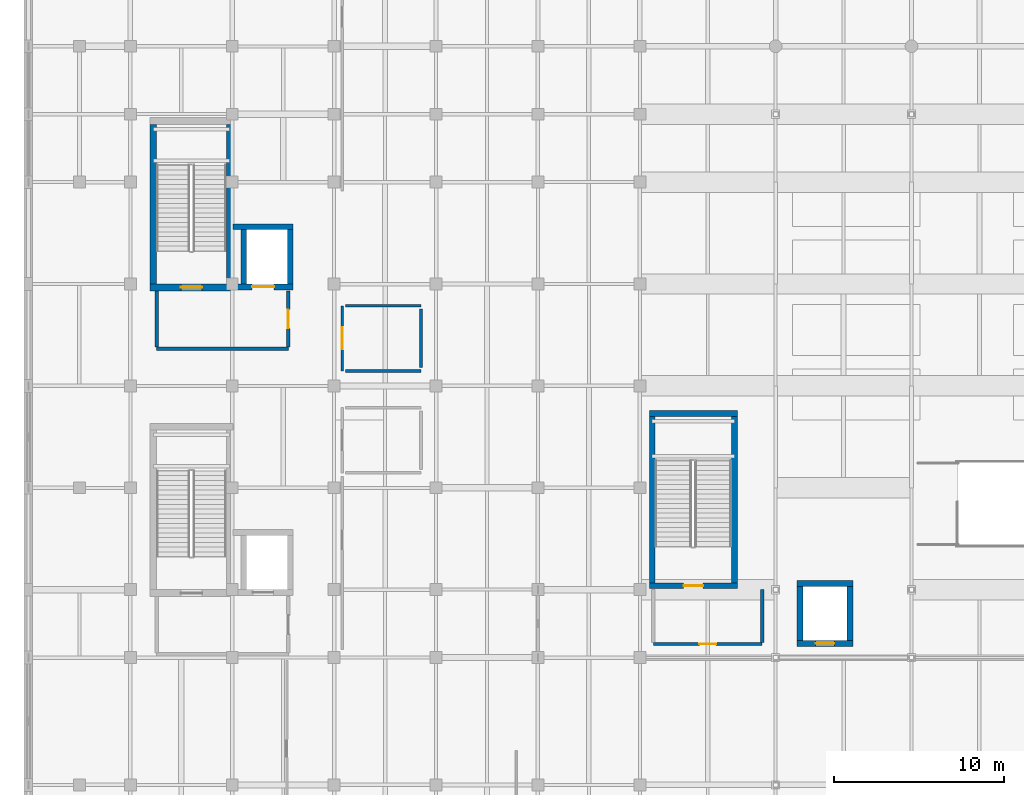
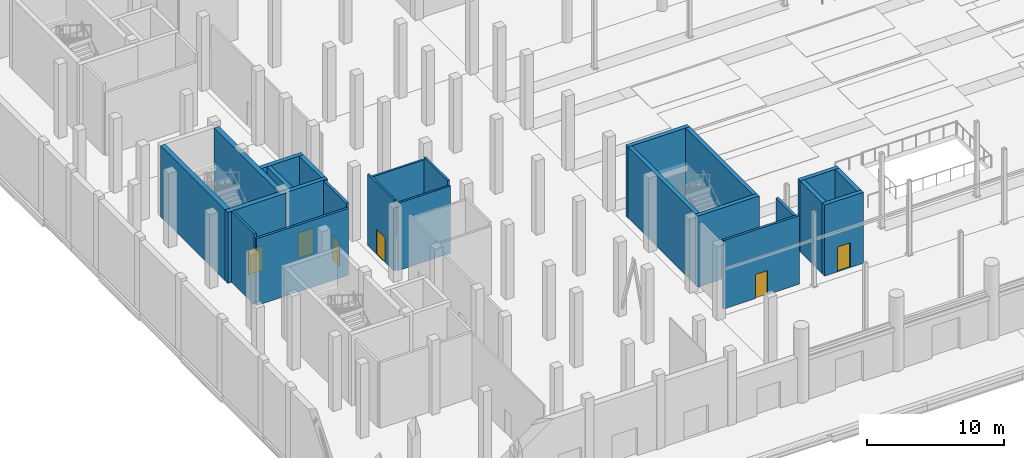
# One storey, part 119 of 140: 24 walls, 7 doors, 7 openings.
"""IFC4 building model written with IfcOpenShell, lengths in metres."""

from ifc_helpers import new_model, si_unit, direction, frame, frame_2d, origin, place, context, subcontext, project, spatial, rectangle, extrude, material, layer, layer_set, type_object, element, fill, save


model = new_model("IFC4")

# Units and contexts
model_context = context("Model", 3, precision=1e-05, world=origin(), true_north=direction((0.0, 1.0)))
body_context = subcontext(model_context, "Body", "Model", "MODEL_VIEW")
ifc_project = project(units=[si_unit("LENGTHUNIT", "METRE"), si_unit("AREAUNIT", "SQUARE_METRE"), si_unit("VOLUMEUNIT", "CUBIC_METRE"), si_unit("PLANEANGLEUNIT", "RADIAN"), si_unit("MASSUNIT", "GRAM", prefix="KILO")], contexts=[model_context])

# Site, building, storey
site_placement = place(None, origin())
site = spatial("IfcSite", under=ifc_project, at=site_placement, CompositionType="ELEMENT")
building_placement = place(site_placement, origin())
building = spatial("IfcBuilding", under=site, at=building_placement, Name="Verrall Gate Interchange", CompositionType="ELEMENT")
storey_placement = place(building_placement, origin())
storey = spatial("IfcBuildingStorey", under=building, at=storey_placement, Name="L01", CompositionType="ELEMENT", Elevation=0.0)

# Walls
ifc_material_1 = material(Name="Fire-Rated Type X Gypsum Stud Partition Assembly (60 min)", Category="gypsum")
ifc_layer_1 = layer(ifc_material_1, 0.199951171875)
ifc_layer_set_1 = layer_set([ifc_layer_1], Name="Fire-Rated Type X Gypsum Stud Partition Assembly (60 min)")
wall_type_1 = type_object("IfcWallType", Name="IW-01 Interior Partition Wall 200", PredefinedType="PARTITIONING", material=ifc_layer_set_1)
wall_1_placement = place(storey_placement, frame((7.550048828125, 30.199951171875, 0.0), z_axis=(0.0, 0.0, 1.0), x_axis=(1.0, 0.0, 0.0)))
element("IfcWall", 1, at=wall_1_placement, inside=storey, type_object=wall_type_1, Name="L01 Core C2 Lobby South Rated Wall", PredefinedType="PARTITIONING", context=body_context, shape_type="SweptSolid", body=[
    extrude(rectangle(XDim=7.75, YDim=0.199951171875, at=frame_2d((3.875, 0.0))), origin(), (0.0, 0.0, 1.0), 5.946044921875),
])
wall_2_placement = place(storey_placement, frame((7.550048828125, 33.60009765625, 0.0), z_axis=(0.0, 0.0, 1.0), x_axis=(0.0, -1.0, 0.0)))
element("IfcWall", 2, at=wall_2_placement, inside=storey, type_object=wall_type_1, Name="L01 Core C2 Lobby West Rated Wall", PredefinedType="PARTITIONING", context=body_context, shape_type="SweptSolid", body=[
    extrude(rectangle(XDim=3.320068359375, YDim=0.199951171875, at=frame_2d((1.66015625, 0.0))), origin(), (0.0, 0.0, 1.0), 6.320068359375),
])

# Wall, opening, door
wall_3_placement = place(storey_placement, frame((15.300048828125, 30.280029296875, 0.0), z_axis=(0.0, 0.0, 1.0), x_axis=(0.0, 1.0, 0.0)))
wall_3 = element("IfcWall", 3, at=wall_3_placement, inside=storey, type_object=wall_type_1, Name="L01 Core C2 Lobby East Rated Wall", PredefinedType="PARTITIONING", context=body_context, shape_type="SweptSolid", body=[
    extrude(rectangle(XDim=3.320068359375, YDim=0.199951171875, at=frame_2d((1.66015625, 0.0))), origin(), (0.0, 0.0, 1.0), 6.320068359375),
])
opening_1_placement = place(wall_3_placement, frame((1.110107421875, 0.0, 0.0)))
opening_1 = element("IfcOpeningElement", 4, at=opening_1_placement, cuts=wall_3, Name="Opening LBD030", PredefinedType="OPENING", context=body_context, shape_type="SweptSolid", body=[
    extrude(rectangle(XDim=1.10009765625, YDim=2.14990234375, at=frame_2d((0.550048828125, 1.074951171875))), frame((0.0, 0.11474609375, 0.0), z_axis=(0.0, -1.0, 0.0), x_axis=(1.0, 0.0, 0.0)), (0.0, 0.0, 1.0), 0.229736328125),
])
ifc_material_2 = material(Name="Hollow-Metal Fire-Rated Door Assembly", Category="metal")
door_type_1 = type_object("IfcDoorType", Name="ID-06 Interior Swing Door 1100x2150", OperationType="NOTDEFINED", PredefinedType="DOOR", material=ifc_material_2)
door_1_placement = place(opening_1_placement, origin())
door_1 = element("IfcDoor", 5, at=door_1_placement, inside=storey, type_object=door_type_1, Name="L01 Core C2 Lobby Fire Door LBD030", OperationType="SINGLE_SWING_RIGHT", OverallHeight=2.14990234375, OverallWidth=1.10009765625, PredefinedType="DOOR", context=body_context, shape_type="SweptSolid", body=[
    extrude(rectangle(XDim=1.10009765625, YDim=2.14990234375, at=frame_2d((0.550048828125, 1.074951171875))), frame((0.0, 0.02490234375, 0.0), z_axis=(0.0, -1.0, 0.0), x_axis=(1.0, 0.0, 0.0)), (0.0, 0.0, 1.0), 0.050048828125),
])
fill(opening_1, door_1)

wall_4_placement = place(storey_placement, frame((36.800048828125, 12.800048828125, 0.0), z_axis=(0.0, 0.0, 1.0), x_axis=(1.0, 0.0, 0.0)))
wall_4 = element("IfcWall", 6, at=wall_4_placement, inside=storey, type_object=wall_type_1, Name="L01 Core C5 Lobby South Rated Wall", PredefinedType="PARTITIONING", context=body_context, shape_type="SweptSolid", body=[
    extrude(rectangle(XDim=6.39990234375, YDim=0.199951171875, at=frame_2d((3.199951171875, 0.0))), origin(), (0.0, 0.0, 1.0), 6.096923828125),
])
opening_2_placement = place(wall_4_placement, frame((2.699951171875, 0.0, 0.0)))
opening_2 = element("IfcOpeningElement", 7, at=opening_2_placement, cuts=wall_4, Name="Opening LBD069", PredefinedType="OPENING", context=body_context, shape_type="SweptSolid", body=[
    extrude(rectangle(XDim=1.0, YDim=2.14990234375, at=frame_2d((0.5, 1.074951171875))), frame((0.0, 0.11474609375, 0.0), z_axis=(0.0, -1.0, 0.0), x_axis=(1.0, 0.0, 0.0)), (0.0, 0.0, 1.0), 0.229736328125),
])
ifc_material_3 = material(Name="Hollow-Metal Fire-Rated Door Assembly", Category="metal")
door_type_2 = type_object("IfcDoorType", Name="ID-05 Interior Swing Door 1000x2150", OperationType="NOTDEFINED", PredefinedType="DOOR", material=ifc_material_3)
door_2_placement = place(opening_2_placement, origin())
door_2 = element("IfcDoor", 8, at=door_2_placement, inside=storey, type_object=door_type_2, Name="L01 Core C5 Lobby Fire Door LBD069", OperationType="SINGLE_SWING_LEFT", OverallHeight=2.14990234375, OverallWidth=1.0, PredefinedType="DOOR", context=body_context, shape_type="SweptSolid", body=[
    extrude(rectangle(XDim=1.0, YDim=2.14990234375, at=frame_2d((0.5, 1.074951171875))), frame((0.0, 0.02490234375, 0.0), z_axis=(0.0, -1.0, 0.0), x_axis=(1.0, 0.0, 0.0)), (0.0, 0.0, 1.0), 0.050048828125),
])
fill(opening_2, door_2)

# Wall
wall_5_placement = place(storey_placement, frame((43.199951171875, 12.8798828125, 0.0), z_axis=(0.0, 0.0, 1.0), x_axis=(0.0, 1.0, 0.0)))
element("IfcWall", 9, at=wall_5_placement, inside=storey, type_object=wall_type_1, Name="L01 Core C5 Lobby East Rated Wall", PredefinedType="PARTITIONING", context=body_context, shape_type="SweptSolid", body=[
    extrude(rectangle(XDim=3.1201171875, YDim=0.199951171875, at=frame_2d((1.56005859375, 0.0))), origin(), (0.0, 0.0, 1.0), 5.68896484375),
])

# Wall, opening, door
ifc_material_4 = material(Name="Fire-Rated Type X Gypsum Stud Partition Assembly (60 min)", Category="gypsum")
ifc_layer_2 = layer(ifc_material_4, 0.159912109375)
ifc_layer_set_2 = layer_set([ifc_layer_2], Name="Fire-Rated Type X Gypsum Stud Partition Assembly (60 min)")
wall_type_2 = type_object("IfcWallType", Name="IW-02 Interior Partition Wall 160", PredefinedType="PARTITIONING", material=ifc_layer_set_2)
wall_6_placement = place(storey_placement, frame((18.47998046875, 28.8798828125, 0.0), z_axis=(0.0, 0.0, 1.0), x_axis=(0.0, 1.0, 0.0)))
wall_6 = element("IfcWall", 10, at=wall_6_placement, inside=storey, type_object=wall_type_2, Name="L01 Ground Accessible Washroom Partition 023", PredefinedType="PARTITIONING", context=body_context, shape_type="SweptSolid", body=[
    extrude(rectangle(XDim=3.840087890625, YDim=0.159912109375, at=frame_2d((1.919921875, 0.0))), origin(), (0.0, 0.0, 1.0), 6.320068359375),
])
opening_3_placement = place(wall_6_placement, frame((1.280029296875, 0.0, 0.0)))
opening_3 = element("IfcOpeningElement", 11, at=opening_3_placement, cuts=wall_6, Name="Opening D019", PredefinedType="OPENING", context=body_context, shape_type="SweptSolid", body=[
    extrude(rectangle(XDim=1.280029296875, YDim=2.199951171875, at=frame_2d((0.64013671875, 1.10009765625))), frame((0.0, 0.0947265625, 0.0), z_axis=(0.0, -1.0, 0.0), x_axis=(1.0, 0.0, 0.0)), (0.0, 0.0, 1.0), 0.189697265625),
])
ifc_material_5 = material(Name="Architectural Solid-Core Birch Acoustic Door Assembly", Category="wood")
door_type_3 = type_object("IfcDoorType", Name="ID-16 Interior Swing Door 1280x2200", OperationType="NOTDEFINED", PredefinedType="DOOR", material=ifc_material_5)
door_3_placement = place(opening_3_placement, origin())
door_3 = element("IfcDoor", 12, at=door_3_placement, inside=storey, type_object=door_type_3, Name="L01 Ground Accessible Washroom Door D019", OperationType="SINGLE_SWING_RIGHT", OverallHeight=2.199951171875, OverallWidth=1.280029296875, PredefinedType="DOOR", context=body_context, shape_type="SweptSolid", body=[
    extrude(rectangle(XDim=1.280029296875, YDim=2.199951171875, at=frame_2d((0.64013671875, 1.10009765625))), frame((0.0, 0.02490234375, 0.0), z_axis=(0.0, -1.0, 0.0), x_axis=(1.0, 0.0, 0.0)), (0.0, 0.0, 1.0), 0.050048828125),
])
fill(opening_3, door_3)

# Walls
for number, where, z_axis, x_axis, name in (
    (13, (18.679931640625, 32.719970703125, 0.0), (0.0, 0.0, 1.0), (1.0, 0.0, 0.0), "L01 Ground Accessible Washroom Partition 024"),
    (14, (23.1201171875, 28.8798828125, 0.0), (0.0, 0.0, 1.0), (-1.0, 0.0, 0.0), "L01 Ground Accessible Washroom Partition 025"),
):
    element("IfcWall", number, at=place(storey_placement, frame(where, z_axis=z_axis, x_axis=x_axis)), inside=storey, type_object=wall_type_2, Name=name, PredefinedType="PARTITIONING", context=body_context, shape_type="SweptSolid", body=[
        extrude(rectangle(XDim=4.440185546875, YDim=0.159912109375, at=frame_2d((2.22021484375, 0.0))), origin(), (0.0, 0.0, 1.0), 5.989990234375),
    ])
wall_7_placement = place(storey_placement, frame((23.1201171875, 32.52001953125, 0.0), z_axis=(0.0, 0.0, 1.0), x_axis=(0.0, -1.0, 0.0)))
element("IfcWall", 15, at=wall_7_placement, inside=storey, type_object=wall_type_2, Name="L01 Ground Accessible Washroom Partition 026", PredefinedType="PARTITIONING", context=body_context, shape_type="SweptSolid", body=[
    extrude(rectangle(XDim=3.43994140625, YDim=0.159912109375, at=frame_2d((1.719970703125, 0.0))), origin(), (0.0, 0.0, 1.0), 6.320068359375),
])

# Wall, opening, door
ifc_material_6 = material(Name="Concrete CSA A23.1 40 MPa (Class N)", Category="concrete")
ifc_layer_3 = layer(ifc_material_6, 0.39990234375)
ifc_layer_set_3 = layer_set([ifc_layer_3], Name="Concrete CSA A23.1 40 MPa (Class N)")
wall_type_3 = type_object("IfcWallType", Name="SW-01 Core Shear Wall 400", PredefinedType="SHEAR", material=ifc_layer_set_3)
wall_8_placement = place(storey_placement, frame((7.14990234375, 33.800048828125, 0.0), z_axis=(0.0, 0.0, 1.0), x_axis=(1.0, 0.0, 0.0)))
wall_8 = element("IfcWall", 16, at=wall_8_placement, inside=storey, type_object=wall_type_3, Name="L01 Core C2 South Shear Wall", PredefinedType="SHEAR", context=body_context, shape_type="SweptSolid", body=[
    extrude(rectangle(XDim=4.900146484375, YDim=0.39990234375, at=frame_2d((2.4501953125, 0.0))), origin(), (0.0, 0.0, 1.0), 6.320068359375),
])
opening_4_placement = place(wall_8_placement, frame((1.824951171875, 0.0, 0.0)))
opening_4 = element("IfcOpeningElement", 17, at=opening_4_placement, cuts=wall_8, Name="Opening SD021", PredefinedType="OPENING", context=body_context, shape_type="SweptSolid", body=[
    extrude(rectangle(XDim=1.25, YDim=2.199951171875, at=frame_2d((0.625, 1.10009765625))), frame((0.0, 0.21484375, 0.0), z_axis=(0.0, -1.0, 0.0), x_axis=(1.0, 0.0, 0.0)), (0.0, 0.0, 1.0), 0.4296875),
])
ifc_material_7 = material(Name="Hollow-Metal Fire-Rated Door Assembly", Category="metal")
door_type_4 = type_object("IfcDoorType", Name="ID-03 Interior Swing Door 1250x2200", OperationType="NOTDEFINED", PredefinedType="DOOR", material=ifc_material_7)
door_4_placement = place(opening_4_placement, origin())
door_4 = element("IfcDoor", 18, at=door_4_placement, inside=storey, type_object=door_type_4, Name="L01 Stair ST-02 Fire Door SD021", OperationType="SINGLE_SWING_LEFT", OverallHeight=2.199951171875, OverallWidth=1.25, PredefinedType="DOOR", context=body_context, shape_type="SweptSolid", body=[
    extrude(rectangle(XDim=1.25, YDim=2.199951171875, at=frame_2d((0.625, 1.10009765625))), frame((0.0, 0.02490234375, 0.0), z_axis=(0.0, -1.0, 0.0), x_axis=(1.0, 0.0, 0.0)), (0.0, 0.0, 1.0), 0.050048828125),
])
fill(opening_4, door_4)

# Walls
for number, where, z_axis, x_axis, name in (
    (19, (7.35009765625, 43.39990234375, 0.0), (0.0, 0.0, 1.0), (0.0, -1.0, 0.0), "L01 Core C2 West Shear Wall"),
    (20, (11.85009765625, 34.0, 0.0), (0.0, 0.0, 1.0), (0.0, 1.0, 0.0), "L01 Core C2 East Shear Wall"),
):
    element("IfcWall", number, at=place(storey_placement, frame(where, z_axis=z_axis, x_axis=x_axis)), inside=storey, type_object=wall_type_3, Name=name, PredefinedType="SHEAR", context=body_context, shape_type="SweptSolid", body=[
        extrude(rectangle(XDim=9.39990234375, YDim=0.39990234375, at=frame_2d((4.699951171875, 0.0))), origin(), (0.0, 0.0, 1.0), 6.320068359375),
    ])

# Wall, opening, door
ifc_material_8 = material(Name="Concrete CSA A23.1 40 MPa (Class N)", Category="concrete")
ifc_layer_4 = layer(ifc_material_8, 0.340087890625)
ifc_layer_set_4 = layer_set([ifc_layer_4], Name="Concrete CSA A23.1 40 MPa (Class N)")
wall_type_4 = type_object("IfcWallType", Name="SW-02 Core Shear Wall 340", PredefinedType="SHEAR", material=ifc_layer_set_4)
wall_9_placement = place(storey_placement, frame((12.050048828125, 33.830078125, 0.0), z_axis=(0.0, 0.0, 1.0), x_axis=(1.0, 0.0, 0.0)))
wall_9 = element("IfcWall", 21, at=wall_9_placement, inside=storey, type_object=wall_type_4, Name="L01 Elevator EL-02 South Shaft Wall", PredefinedType="SHEAR", context=body_context, shape_type="SweptSolid", body=[
    extrude(rectangle(XDim=3.5400390625, YDim=0.340087890625, at=frame_2d((1.77001953125, 0.0))), origin(), (0.0, 0.0, 1.0), 6.320068359375),
])
opening_5_placement = place(wall_9_placement, frame((1.1201171875, 0.0, 0.0)))
opening_5 = element("IfcOpeningElement", 22, at=opening_5_placement, cuts=wall_9, Name="Opening LD-02-L01", PredefinedType="OPENING", context=body_context, shape_type="SweptSolid", body=[
    extrude(rectangle(XDim=1.300048828125, YDim=2.25, at=frame_2d((0.64990234375, 1.125))), frame((0.0, 0.18505859375, 0.0), z_axis=(0.0, -1.0, 0.0), x_axis=(1.0, 0.0, 0.0)), (0.0, 0.0, 1.0), 0.369873046875),
])
ifc_material_9 = material(Name="Stainless-Steel Elevator Landing Sliding Door Assembly", Category="steel")
door_type_5 = type_object("IfcDoorType", Name="LD-03 Elevator Sliding Landing Door 1300x2250", OperationType="NOTDEFINED", PredefinedType="DOOR", material=ifc_material_9)
door_5_placement = place(opening_5_placement, origin())
door_5 = element("IfcDoor", 23, at=door_5_placement, inside=storey, type_object=door_type_5, Name="L01 Elevator EL-02 Sliding Landing Door", OperationType="DOUBLE_DOOR_SLIDING", OverallHeight=2.25, OverallWidth=1.300048828125, PredefinedType="DOOR", context=body_context, shape_type="SweptSolid", body=[
    extrude(rectangle(XDim=1.300048828125, YDim=2.25, at=frame_2d((0.64990234375, 1.125))), frame((0.0, 0.02490234375, 0.0), z_axis=(0.0, -1.0, 0.0), x_axis=(1.0, 0.0, 0.0)), (0.0, 0.0, 1.0), 0.050048828125),
])
fill(opening_5, door_5)

# Walls
wall_10_placement = place(storey_placement, frame((15.590087890625, 37.3701171875, 0.0), z_axis=(0.0, 0.0, 1.0), x_axis=(-1.0, 0.0, 0.0)))
element("IfcWall", 24, at=wall_10_placement, inside=storey, type_object=wall_type_4, Name="L01 Elevator EL-02 North Shaft Wall", PredefinedType="SHEAR", context=body_context, shape_type="SweptSolid", body=[
    extrude(rectangle(XDim=3.5400390625, YDim=0.340087890625, at=frame_2d((1.77001953125, 0.0))), origin(), (0.0, 0.0, 1.0), 6.320068359375),
])
for number, where, z_axis, x_axis, name in (
    (25, (12.679931640625, 37.199951171875, 0.0), (0.0, 0.0, 1.0), (0.0, -1.0, 0.0), "L01 Elevator EL-02 West Shaft Wall"),
    (26, (15.419921875, 34.0, 0.0), (0.0, 0.0, 1.0), (0.0, 1.0, 0.0), "L01 Elevator EL-02 East Shaft Wall"),
):
    element("IfcWall", number, at=place(storey_placement, frame(where, z_axis=z_axis, x_axis=x_axis)), inside=storey, type_object=wall_type_4, Name=name, PredefinedType="SHEAR", context=body_context, shape_type="SweptSolid", body=[
        extrude(rectangle(XDim=3.199951171875, YDim=0.340087890625, at=frame_2d((1.60009765625, 0.0))), origin(), (0.0, 0.0, 1.0), 6.320068359375),
    ])

# Wall, opening, door
wall_11_placement = place(storey_placement, frame((36.56005859375, 16.22998046875, 0.0), z_axis=(0.0, 0.0, 1.0), x_axis=(1.0, 0.0, 0.0)))
wall_11 = element("IfcWall", 27, at=wall_11_placement, inside=storey, type_object=wall_type_4, Name="L01 Core C5 South Shear Wall", PredefinedType="SHEAR", context=body_context, shape_type="SweptSolid", body=[
    extrude(rectangle(XDim=5.179931640625, YDim=0.340087890625, at=frame_2d((2.58984375, 0.0))), origin(), (0.0, 0.0, 1.0), 6.320068359375),
])
opening_6_placement = place(wall_11_placement, frame((2.014892578125, 0.0, 0.0)))
opening_6 = element("IfcOpeningElement", 28, at=opening_6_placement, cuts=wall_11, Name="Opening SD065", PredefinedType="OPENING", context=body_context, shape_type="SweptSolid", body=[
    extrude(rectangle(XDim=1.14990234375, YDim=2.14990234375, at=frame_2d((0.574951171875, 1.074951171875))), frame((0.0, 0.18505859375, 0.0), z_axis=(0.0, -1.0, 0.0), x_axis=(1.0, 0.0, 0.0)), (0.0, 0.0, 1.0), 0.369873046875),
])
ifc_material_10 = material(Name="Hollow-Metal Fire-Rated Door Assembly", Category="metal")
door_type_6 = type_object("IfcDoorType", Name="ID-02 Interior Swing Door 1150x2150", OperationType="NOTDEFINED", PredefinedType="DOOR", material=ifc_material_10)
door_6_placement = place(opening_6_placement, origin())
door_6 = element("IfcDoor", 29, at=door_6_placement, inside=storey, type_object=door_type_6, Name="L01 Stair ST-05 Fire Door SD065", OperationType="SINGLE_SWING_LEFT", OverallHeight=2.14990234375, OverallWidth=1.14990234375, PredefinedType="DOOR", context=body_context, shape_type="SweptSolid", body=[
    extrude(rectangle(XDim=1.14990234375, YDim=2.14990234375, at=frame_2d((0.574951171875, 1.074951171875))), frame((0.0, 0.02490234375, 0.0), z_axis=(0.0, -1.0, 0.0), x_axis=(1.0, 0.0, 0.0)), (0.0, 0.0, 1.0), 0.050048828125),
])
fill(opening_6, door_6)

# Walls
wall_12_placement = place(storey_placement, frame((41.739990234375, 26.3701171875, 0.0), z_axis=(0.0, 0.0, 1.0), x_axis=(-1.0, 0.0, 0.0)))
element("IfcWall", 30, at=wall_12_placement, inside=storey, type_object=wall_type_4, Name="L01 Core C5 North Shear Wall", PredefinedType="SHEAR", context=body_context, shape_type="SweptSolid", body=[
    extrude(rectangle(XDim=5.179931640625, YDim=0.340087890625, at=frame_2d((2.58984375, 0.0))), origin(), (0.0, 0.0, 1.0), 6.320068359375),
])
for number, where, z_axis, x_axis, name in (
    (31, (36.72998046875, 26.199951171875, 0.0), (0.0, 0.0, 1.0), (0.0, -1.0, 0.0), "L01 Core C5 West Shear Wall"),
    (32, (41.570068359375, 16.39990234375, 0.0), (0.0, 0.0, 1.0), (0.0, 1.0, 0.0), "L01 Core C5 East Shear Wall"),
):
    element("IfcWall", number, at=place(storey_placement, frame(where, z_axis=z_axis, x_axis=x_axis)), inside=storey, type_object=wall_type_4, Name=name, PredefinedType="SHEAR", context=body_context, shape_type="SweptSolid", body=[
        extrude(rectangle(XDim=9.800048828125, YDim=0.340087890625, at=frame_2d((4.89990234375, 0.0))), origin(), (0.0, 0.0, 1.0), 6.320068359375),
    ])

# Wall, opening, door
wall_13_placement = place(storey_placement, frame((45.260009765625, 12.830078125, 0.0), z_axis=(0.0, 0.0, 1.0), x_axis=(1.0, 0.0, 0.0)))
wall_13 = element("IfcWall", 33, at=wall_13_placement, inside=storey, type_object=wall_type_4, Name="L01 Elevator EL-03 South Shaft Wall", PredefinedType="SHEAR", context=body_context, shape_type="SweptSolid", body=[
    extrude(rectangle(XDim=3.280029296875, YDim=0.340087890625, at=frame_2d((1.64013671875, 0.0))), origin(), (0.0, 0.0, 1.0), 6.320068359375),
])
opening_7_placement = place(wall_13_placement, frame((1.090087890625, 0.0, 0.0)))
opening_7 = element("IfcOpeningElement", 34, at=opening_7_placement, cuts=wall_13, Name="Opening LD-03-L01", PredefinedType="OPENING", context=body_context, shape_type="SweptSolid", body=[
    extrude(rectangle(XDim=1.10009765625, YDim=2.199951171875, at=frame_2d((0.550048828125, 1.10009765625))), frame((0.0, 0.18505859375, 0.0), z_axis=(0.0, -1.0, 0.0), x_axis=(1.0, 0.0, 0.0)), (0.0, 0.0, 1.0), 0.369873046875),
])
ifc_material_11 = material(Name="Stainless-Steel Elevator Landing Sliding Door Assembly", Category="steel")
door_type_7 = type_object("IfcDoorType", Name="LD-01 Elevator Sliding Landing Door 1100x2200", OperationType="NOTDEFINED", PredefinedType="DOOR", material=ifc_material_11)
door_7_placement = place(opening_7_placement, origin())
door_7 = element("IfcDoor", 35, at=door_7_placement, inside=storey, type_object=door_type_7, Name="L01 Elevator EL-03 Sliding Landing Door", OperationType="DOUBLE_DOOR_SLIDING", OverallHeight=2.199951171875, OverallWidth=1.10009765625, PredefinedType="DOOR", context=body_context, shape_type="SweptSolid", body=[
    extrude(rectangle(XDim=1.10009765625, YDim=2.199951171875, at=frame_2d((0.550048828125, 1.10009765625))), frame((0.0, 0.02490234375, 0.0), z_axis=(0.0, -1.0, 0.0), x_axis=(1.0, 0.0, 0.0)), (0.0, 0.0, 1.0), 0.050048828125),
])
fill(opening_7, door_7)

# Walls
wall_14_placement = place(storey_placement, frame((48.5400390625, 16.3701171875, 0.0), z_axis=(0.0, 0.0, 1.0), x_axis=(-1.0, 0.0, 0.0)))
element("IfcWall", 36, at=wall_14_placement, inside=storey, type_object=wall_type_4, Name="L01 Elevator EL-03 North Shaft Wall", PredefinedType="SHEAR", context=body_context, shape_type="SweptSolid", body=[
    extrude(rectangle(XDim=3.280029296875, YDim=0.340087890625, at=frame_2d((1.64013671875, 0.0))), origin(), (0.0, 0.0, 1.0), 6.320068359375),
])
for number, where, z_axis, x_axis, name in (
    (37, (45.429931640625, 16.199951171875, 0.0), (0.0, 0.0, 1.0), (0.0, -1.0, 0.0), "L01 Elevator EL-03 West Shaft Wall"),
    (38, (48.3701171875, 13.0, 0.0), (0.0, 0.0, 1.0), (0.0, 1.0, 0.0), "L01 Elevator EL-03 East Shaft Wall"),
):
    element("IfcWall", number, at=place(storey_placement, frame(where, z_axis=z_axis, x_axis=x_axis)), inside=storey, type_object=wall_type_4, Name=name, PredefinedType="SHEAR", context=body_context, shape_type="SweptSolid", body=[
        extrude(rectangle(XDim=3.199951171875, YDim=0.340087890625, at=frame_2d((1.60009765625, 0.0))), origin(), (0.0, 0.0, 1.0), 6.320068359375),
    ])

save(model, "model.ifc")
